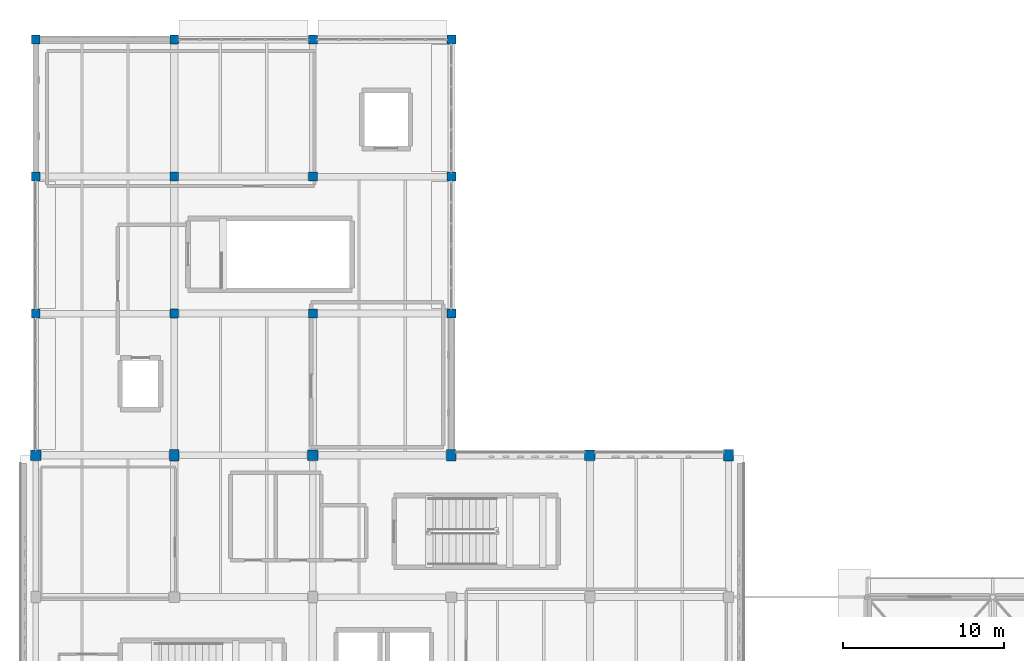
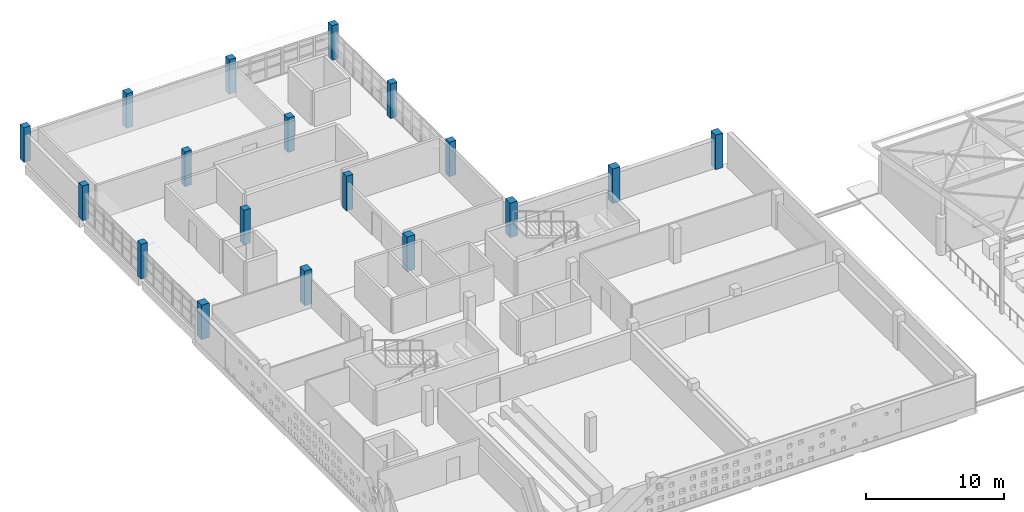
# One storey, part 3 of 34: 18 columns.
"""IFC4 building model written with IfcOpenShell, lengths in metres."""

from ifc_helpers import new_model, si_unit, direction, frame, origin, origin_2d, place, context, subcontext, project, spatial, rectangle, extrude, material, material_profile, profile_set, type_object, element, save


model = new_model("IFC4")

# Units and contexts
model_context = context("Model", 3, precision=1e-05, world=origin(), true_north=direction((0.0, 1.0)))
body_context = subcontext(model_context, "Body", "Model", "MODEL_VIEW")
ifc_project = project(units=[si_unit("LENGTHUNIT", "METRE"), si_unit("AREAUNIT", "SQUARE_METRE"), si_unit("VOLUMEUNIT", "CUBIC_METRE"), si_unit("PLANEANGLEUNIT", "RADIAN"), si_unit("MASSUNIT", "GRAM", prefix="KILO")], contexts=[model_context])

# Site, building, storey
site_placement = place(None, origin())
site = spatial("IfcSite", under=ifc_project, at=site_placement, CompositionType="ELEMENT")
building_placement = place(site_placement, origin())
building = spatial("IfcBuilding", under=site, at=building_placement, Name="Varnakota Cinema and Media Centre", CompositionType="ELEMENT")
storey_placement = place(building_placement, frame((0.0, 0.0, 19.050048828125)))
storey = spatial("IfcBuildingStorey", under=building, at=storey_placement, Name="L05", CompositionType="ELEMENT", Elevation=19.050048828125)

# Columns
ifc_material_1 = material(Name="Concrete M40", Category="concrete")
ifc_material_profile_1 = material_profile(ifc_material_1, rectangle(XDim=0.550048828125, YDim=0.550048828125, at=origin_2d()), Name="RC 550x550")
ifc_profile_set_1 = profile_set([ifc_material_profile_1], Name="Concrete M40")
column_type_1 = type_object("IfcColumnType", Name="COL-RC-550x550", PredefinedType="COLUMN", material=ifc_profile_set_1)
for number, where, z_axis, x_axis, name in (
    (1, (0.0, 44.0, 0.0), (0.0, 0.0, 1.0), (1.0, 0.0, 0.0), "L05 column A/6"),
    (2, (0.0, 52.5, 0.0), (0.0, 0.0, 1.0), (1.0, 0.0, 0.0), "L05 column A/7"),
    (3, (0.0, 61.0, 0.0), (0.0, 0.0, 1.0), (1.0, 0.0, 0.0), "L05 column A/8"),
    (4, (8.60009765625, 44.0, 0.0), (0.0, 0.0, 1.0), (1.0, 0.0, 0.0), "L05 column B/6"),
    (5, (8.60009765625, 52.5, 0.0), (0.0, 0.0, 1.0), (1.0, 0.0, 0.0), "L05 column B/7"),
    (6, (8.60009765625, 61.0, 0.0), (0.0, 0.0, 1.0), (1.0, 0.0, 0.0), "L05 column B/8"),
    (7, (17.199951171875, 44.0, 0.0), (0.0, 0.0, 1.0), (1.0, 0.0, 0.0), "L05 column C/6"),
    (8, (17.199951171875, 52.5, 0.0), (0.0, 0.0, 1.0), (1.0, 0.0, 0.0), "L05 column C/7"),
    (9, (17.199951171875, 61.0, 0.0), (0.0, 0.0, 1.0), (1.0, 0.0, 0.0), "L05 column C/8"),
    (10, (25.800048828125, 44.0, 0.0), (0.0, 0.0, 1.0), (1.0, 0.0, 0.0), "L05 column D/6"),
    (11, (25.800048828125, 52.5, 0.0), (0.0, 0.0, 1.0), (1.0, 0.0, 0.0), "L05 column D/7"),
    (12, (25.800048828125, 61.0, 0.0), (0.0, 0.0, 1.0), (1.0, 0.0, 0.0), "L05 column D/8"),
):
    element("IfcColumn", number, at=place(storey_placement, frame(where, z_axis=z_axis, x_axis=x_axis)), inside=storey, type_object=column_type_1, Name=name, PredefinedType="COLUMN", context=body_context, shape_type="SweptSolid", body=[
        extrude(rectangle(XDim=0.550048828125, YDim=0.550048828125, at=origin_2d()), origin(), (0.0, 0.0, 1.0), 3.06005859375),
    ])
ifc_material_2 = material(Name="Concrete M40", Category="concrete")
ifc_material_profile_2 = material_profile(ifc_material_2, rectangle(XDim=0.60009765625, YDim=0.699951171875, at=origin_2d()), Name="RC 600x700")
ifc_profile_set_2 = profile_set([ifc_material_profile_2], Name="Concrete M40")
column_type_2 = type_object("IfcColumnType", Name="COL-RC-600x700", PredefinedType="COLUMN", material=ifc_profile_set_2)
for number, where, z_axis, x_axis, name in (
    (13, (8.60009765625, 35.199951171875, 0.0), (0.0, 0.0, 1.0), (1.0, 0.0, 0.0), "L05 column B/5"),
    (14, (25.800048828125, 35.199951171875, 0.0), (0.0, 0.0, 1.0), (1.0, 0.0, 0.0), "L05 column D/5"),
    (15, (43.0, 35.199951171875, 0.0), (0.0, 0.0, 1.0), (1.0, 0.0, 0.0), "L05 column F/5"),
):
    element("IfcColumn", number, at=place(storey_placement, frame(where, z_axis=z_axis, x_axis=x_axis)), inside=storey, type_object=column_type_2, Name=name, PredefinedType="COLUMN", context=body_context, shape_type="SweptSolid", body=[
        extrude(rectangle(XDim=0.60009765625, YDim=0.699951171875, at=origin_2d()), origin(), (0.0, 0.0, 1.0), 3.06005859375),
    ])
ifc_material_3 = material(Name="Concrete M40", Category="concrete")
ifc_material_profile_3 = material_profile(ifc_material_3, rectangle(XDim=0.64990234375, YDim=0.64990234375, at=origin_2d()), Name="RC 650x650")
ifc_profile_set_3 = profile_set([ifc_material_profile_3], Name="Concrete M40")
column_type_3 = type_object("IfcColumnType", Name="COL-RC-650x650", PredefinedType="COLUMN", material=ifc_profile_set_3)
for number, where, z_axis, x_axis, name in (
    (16, (0.0, 35.199951171875, 0.0), (0.0, 0.0, 1.0), (1.0, 0.0, 0.0), "L05 column A/5"),
    (17, (17.199951171875, 35.199951171875, 0.0), (0.0, 0.0, 1.0), (1.0, 0.0, 0.0), "L05 column C/5"),
    (18, (34.39990234375, 35.199951171875, 0.0), (0.0, 0.0, 1.0), (1.0, 0.0, 0.0), "L05 column E/5"),
):
    element("IfcColumn", number, at=place(storey_placement, frame(where, z_axis=z_axis, x_axis=x_axis)), inside=storey, type_object=column_type_3, Name=name, PredefinedType="COLUMN", context=body_context, shape_type="SweptSolid", body=[
        extrude(rectangle(XDim=0.64990234375, YDim=0.64990234375, at=origin_2d()), origin(), (0.0, 0.0, 1.0), 3.06005859375),
    ])

save(model, "model.ifc")
